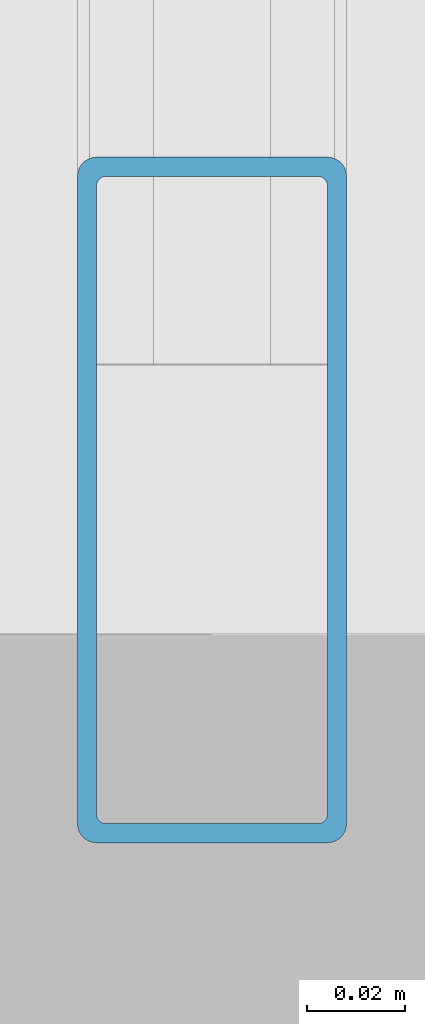
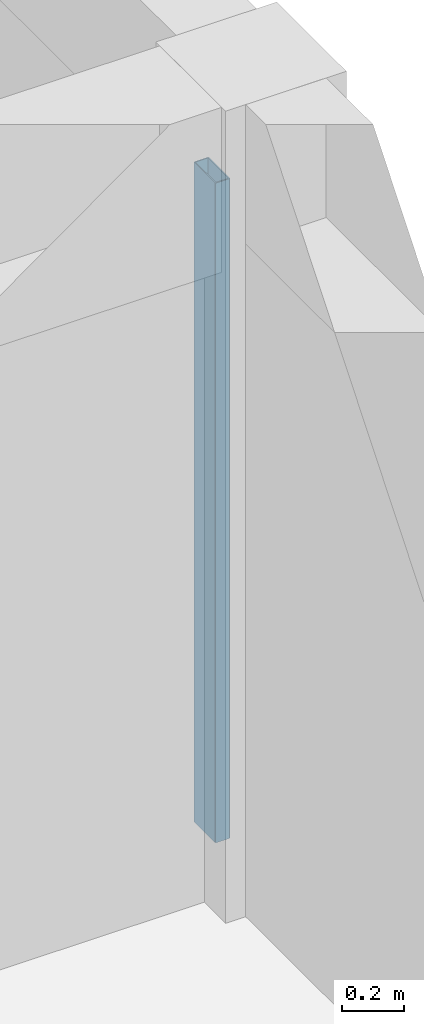
# One storey, part 7 of 52: 1 member, 1 element without a shape of its own.
"""IFC4 building model written with IfcOpenShell, lengths in metres."""

from ifc_helpers import new_model, si_unit, direction, frame, origin, origin_2d, place, context, subcontext, project, spatial, hollow_rectangle, extrude, material, material_profile, profile_set, type_object, element, aggregate, save


model = new_model("IFC4")

# Units and contexts
model_context = context("Model", 3, precision=1e-05, world=origin(), true_north=direction((0.0, 1.0)))
body_context = subcontext(model_context, "Body", "Model", "MODEL_VIEW")
ifc_project = project(units=[si_unit("LENGTHUNIT", "METRE"), si_unit("AREAUNIT", "SQUARE_METRE"), si_unit("VOLUMEUNIT", "CUBIC_METRE"), si_unit("PLANEANGLEUNIT", "RADIAN"), si_unit("MASSUNIT", "GRAM", prefix="KILO")], contexts=[model_context])

# Site, building, storey
site_placement = place(None, origin())
site = spatial("IfcSite", under=ifc_project, at=site_placement, CompositionType="ELEMENT")
building_placement = place(site_placement, origin())
building = spatial("IfcBuilding", under=site, at=building_placement, Name="Kernevlak Ridge Housing Community", CompositionType="ELEMENT")
storey_placement = place(building_placement, frame((0.0, 0.0, 11.60009765625)))
storey = spatial("IfcBuildingStorey", under=building, at=storey_placement, Name="L03", CompositionType="ELEMENT", Elevation=11.60009765625)

# Curtain wall, member
ifc_material_1 = material(Name="Aluminium EN AW-6060 anodised and laminated glass", Category="aluminium")
curtain_wall_type = type_object("IfcCurtainWallType", Name="CW-01", PredefinedType="NOTDEFINED", material=ifc_material_1)
curtain_wall_placement = place(storey_placement, origin())
curtain_wall = element("IfcCurtainWall", 1, at=curtain_wall_placement, inside=storey, type_object=curtain_wall_type, Name="Curtain wall CW-01 CW-L03-150", PredefinedType="NOTDEFINED")
ifc_material_2 = material(Name="Aluminium EN AW-6060 anodised", Category="aluminium")
ifc_material_profile = material_profile(ifc_material_2, hollow_rectangle(XDim=0.054931640625, YDim=0.139892578125, WallThickness=0.00390625, InnerFilletRadius=0.001953125, OuterFilletRadius=0.00390625, at=origin_2d()), Name="ALU 55x140x4")
ifc_profile_set = profile_set([ifc_material_profile], Name="Aluminium EN AW-6060 anodised")
member_type = type_object("IfcMemberType", Name="MU-01", PredefinedType="MULLION", material=ifc_profile_set)
member_placement = place(storey_placement, frame((42.0, 22.452392578125, 0.0), z_axis=(0.0, 0.0, 1.0), x_axis=(-1.0, 0.0, 0.0)))
member = element("IfcMember", 2, at=member_placement, type_object=member_type, Name="CW-01 mullion 1", PredefinedType="MULLION", context=body_context, shape_type="SweptSolid", body=[
    extrude(hollow_rectangle(XDim=0.054931640625, YDim=0.139892578125, WallThickness=0.00390625, InnerFilletRadius=0.001953125, OuterFilletRadius=0.00390625, at=origin_2d()), origin(), (0.0, 0.0, 1.0), 2.599853515625),
])
aggregate(curtain_wall, [member])

save(model, "model.ifc")
